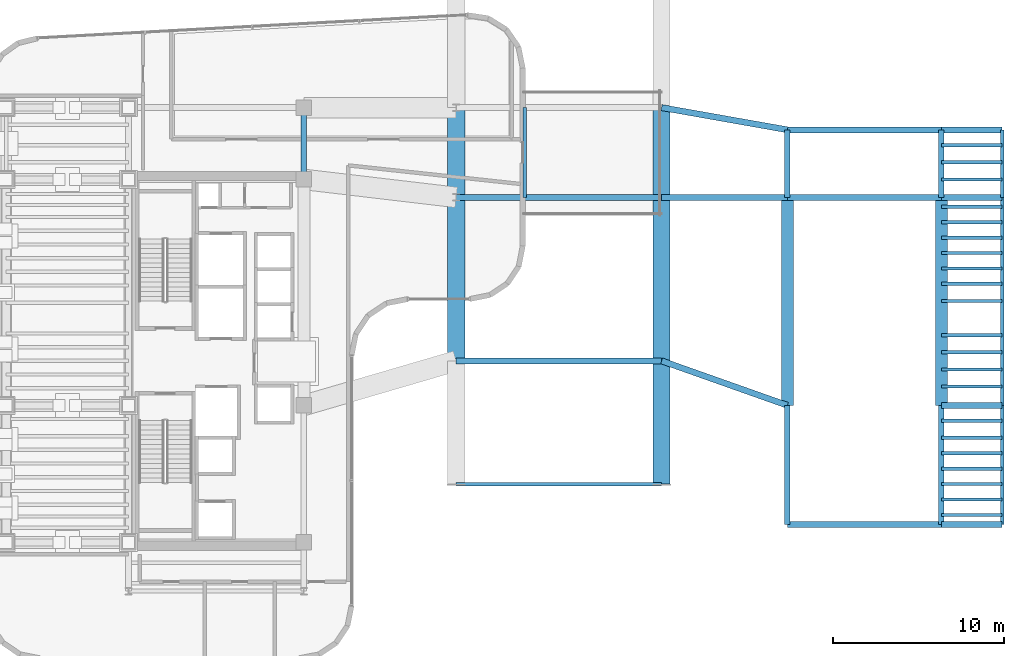
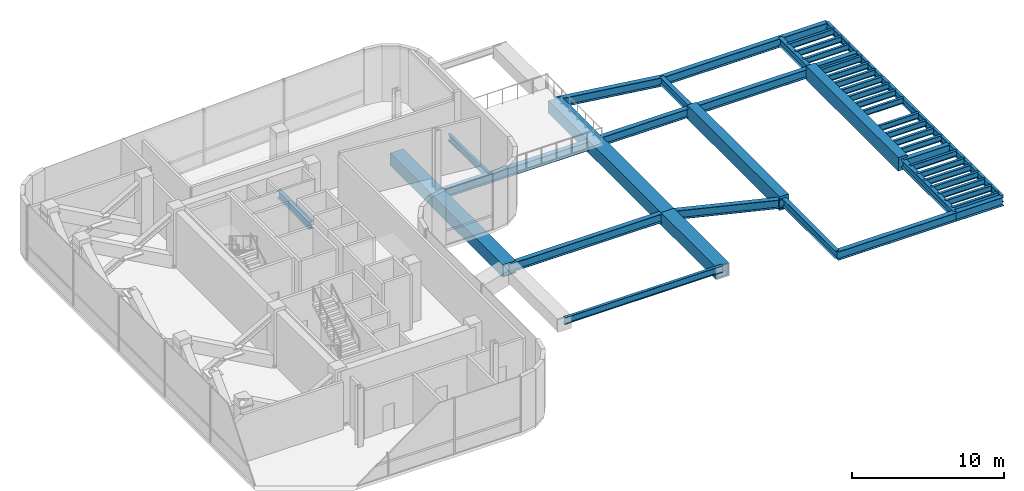
# One storey, part 10 of 20: 48 beams.
"""IFC4 building model written with IfcOpenShell, lengths in metres."""

import ifcopenshell
import ifcopenshell.guid

model = None  # the IFC model being written
_history = None  # IfcOwnerHistory: only IFC2X3 demands one
_inside = {}  # id of a spatial element -> (the spatial element, [elements in it])
_under = {}  # id of a project, library or spatial element -> (it, [spatial elements below it])
_declared = {}  # id of a project -> (the project, [libraries it declares])
_typed = {}  # id of a type object -> (the type object, [elements of that type])
_made_of = {}  # id of a material, layer set ... -> (it, [elements and type objects made of it])


def new_model(schema):
    """Start an empty IFC model of exactly this schema.

    Asked for "IFC4X3", IfcOpenShell would pick the latest addendum, in which some entities
    have other attributes; the version numbers below select the first issue.
    IFC2X3 requires an IfcOwnerHistory on every rooted entity: one is made here for all.
    """
    global model, _history
    if schema == "IFC4X3":
        model = ifcopenshell.file(schema_version=(4, 3, 0, 0))
    else:
        model = ifcopenshell.file(schema=schema)
    _inside.clear()
    _under.clear()
    _declared.clear()
    _typed.clear()
    _made_of.clear()
    _history = None
    if model.schema == "IFC2X3":
        org = make("IfcOrganization", Name="unknown")
        user = make(
            "IfcPersonAndOrganization",
            ThePerson=make("IfcPerson", FamilyName="unknown"),
            TheOrganization=org,
        )
        app = make(
            "IfcApplication",
            ApplicationDeveloper=org,
            Version="unknown",
            ApplicationFullName="unknown",
            ApplicationIdentifier="unknown",
        )
        _history = make(
            "IfcOwnerHistory",
            OwningUser=user,
            OwningApplication=app,
            ChangeAction="ADDED",
            CreationDate=0,
        )
    return model


def make(cls, **values):
    """One entity of the class cls with the attributes given. An attribute that is None is left unset."""
    return model.create_entity(
        cls, **{name: value for name, value in values.items() if value is not None}
    )


def rooted(cls, **values):
    """An entity with a GlobalId (a new one), such as an element, a storey or a relation."""
    return make(cls, GlobalId=ifcopenshell.guid.new(), OwnerHistory=_history, **values)


def si_unit(unit_type, name, prefix=None):
    """IfcSIUnit, for example si_unit("LENGTHUNIT", "METRE", prefix="MILLI")."""
    return make("IfcSIUnit", UnitType=unit_type, Prefix=prefix, Name=name)


def assignment(units):
    """IfcUnitAssignment: the units of a project."""
    return None if units is None else make("IfcUnitAssignment", Units=units)


def point(xyz):
    """IfcCartesianPoint."""
    return None if xyz is None else make("IfcCartesianPoint", Coordinates=xyz)


def direction(xyz):
    """IfcDirection."""
    return None if xyz is None else make("IfcDirection", DirectionRatios=xyz)


def frame(location, z_axis=None, x_axis=None):
    """IfcAxis2Placement3D, a coordinate frame: its origin and axes. An axis left out is left unset."""
    return make(
        "IfcAxis2Placement3D",
        Location=point(location),
        Axis=direction(z_axis),
        RefDirection=direction(x_axis),
    )


def frame_2d(location, x_axis=None):
    """IfcAxis2Placement2D, a coordinate frame in the plane: its origin and x axis."""
    return make(
        "IfcAxis2Placement2D", Location=point(location), RefDirection=direction(x_axis)
    )


def origin():
    """The frame at (0, 0, 0) with its axes left unset."""
    return frame((0.0, 0.0, 0.0))


def origin_2d():
    """The frame at (0, 0) in the plane with its x axis left unset."""
    return frame_2d((0.0, 0.0))


def place(relative_to, where):
    """IfcLocalPlacement: puts the frame where relative to a parent placement (None: the world)."""
    return make(
        "IfcLocalPlacement", PlacementRelTo=relative_to, RelativePlacement=where
    )


def context(
    kind, dimensions, precision=None, world=None, true_north=None, identifier=None
):
    """IfcGeometricRepresentationContext, for example the 3D "Model" context."""
    return make(
        "IfcGeometricRepresentationContext",
        ContextIdentifier=identifier,
        ContextType=kind,
        CoordinateSpaceDimension=dimensions,
        Precision=precision,
        WorldCoordinateSystem=world,
        TrueNorth=true_north,
    )


def subcontext(parent, identifier, kind, view, scale=None):
    """IfcGeometricRepresentationSubContext, for example "Body" below "Model"."""
    return make(
        "IfcGeometricRepresentationSubContext",
        ContextIdentifier=identifier,
        ContextType=kind,
        ParentContext=parent,
        TargetScale=scale,
        TargetView=view,
    )


def project(units=None, contexts=None):
    """IfcProject with its units and contexts."""
    return rooted(
        "IfcProject",
        Name="project",
        RepresentationContexts=contexts,
        UnitsInContext=assignment(units),
    )


def spatial(cls, under=None, at=None, **own):
    """A site, building, storey or space (cls), placed at a placement, below another one or the project."""
    s = rooted(cls, ObjectPlacement=at, **own)
    if under is not None:
        _under.setdefault(under.id(), (under, []))[1].append(s)
    return s


def profile(cls, at=None, kind="AREA", **sizes):
    """A parametric profile (cls). Its sizes go by their IFC names, for example OverallWidth=200.0."""
    return make(cls, ProfileType=kind, Position=at, **sizes)


def rectangle(**sizes):
    """IfcRectangleProfileDef."""
    return profile("IfcRectangleProfileDef", **sizes)


def hollow_rectangle(**sizes):
    """IfcRectangleHollowProfileDef."""
    return profile("IfcRectangleHollowProfileDef", **sizes)


def i_section(**sizes):
    """IfcIShapeProfileDef."""
    return profile("IfcIShapeProfileDef", **sizes)


def extrude(swept, where, along, depth):
    """IfcExtrudedAreaSolid: the profile swept, set in the frame where, extruded along a direction by depth."""
    return make(
        "IfcExtrudedAreaSolid",
        SweptArea=swept,
        Position=where,
        ExtrudedDirection=direction(along),
        Depth=depth,
    )


def shape(context_of_items, identifier, shape_type, items):
    """IfcShapeRepresentation: the items that make up one representation, for example the "Body"."""
    return make(
        "IfcShapeRepresentation",
        ContextOfItems=context_of_items,
        RepresentationIdentifier=identifier,
        RepresentationType=shape_type,
        Items=items,
    )


def source(mapping_origin, context_of_items, identifier, shape_type, items):
    """IfcRepresentationMap: a shape defined once, which mapped items show again and again."""
    return make(
        "IfcRepresentationMap",
        MappingOrigin=mapping_origin,
        MappedRepresentation=shape(context_of_items, identifier, shape_type, items),
    )


def transform(
    local_origin,
    x_axis=None,
    y_axis=None,
    z_axis=None,
    scale=None,
    scale2=None,
    scale3=None,
    uniform=True,
):
    """IfcCartesianTransformationOperator3D, or its non-uniform kind. x_axis, y_axis, z_axis: its Axis1, 2, 3."""
    if uniform:
        return make(
            "IfcCartesianTransformationOperator3D",
            Axis1=direction(x_axis),
            Axis2=direction(y_axis),
            LocalOrigin=point(local_origin),
            Scale=scale,
            Axis3=direction(z_axis),
        )
    return make(
        "IfcCartesianTransformationOperator3DnonUniform",
        Axis1=direction(x_axis),
        Axis2=direction(y_axis),
        LocalOrigin=point(local_origin),
        Scale=scale,
        Axis3=direction(z_axis),
        Scale2=scale2,
        Scale3=scale3,
    )


def mapped(mapping_source, mapping_target):
    """IfcMappedItem: shows the shape of a source again, moved by a transform."""
    return make(
        "IfcMappedItem", MappingSource=mapping_source, MappingTarget=mapping_target
    )


def material(Name=None, Category=None):
    """IfcMaterial."""
    return make("IfcMaterial", Name=Name, Category=Category)


def material_profile(
    of_material, cross_section, Name=None, Category=None, Priority=None
):
    """IfcMaterialProfile: a cross section and its material."""
    return make(
        "IfcMaterialProfile",
        Name=Name,
        Material=of_material,
        Profile=cross_section,
        Priority=Priority,
        Category=Category,
    )


def profile_set(profiles, Name=None, composite=None):
    """IfcMaterialProfileSet."""
    return make(
        "IfcMaterialProfileSet",
        Name=Name,
        MaterialProfiles=profiles,
        CompositeProfile=composite,
    )


def made_of(thing, what):
    """Note that an element or type object is made of a material, layer set ...; save() writes the relation."""
    if what is not None:
        _made_of.setdefault(what.id(), (what, []))[1].append(thing)
    return thing


def type_object(cls, material=None, **own):
    """A type object (cls), such as IfcWallType, which elements share."""
    return made_of(rooted(cls, **own), material)


def element(
    cls,
    number,
    at=None,
    inside=None,
    cuts=None,
    type_object=None,
    material=None,
    context=None,
    identifier="Body",
    shape_type=None,
    held_by="IfcProductDefinitionShape",
    body=None,
    shapes=None,
    **own,
):
    """One element of the class cls, such as IfcWall. Its Tag is "e" and its number.

    at: its placement. inside: the storey or other place that contains it. cuts: it is an
    opening in that element (IfcRelVoidsElement). A single representation is given by context,
    identifier, shape_type and body (its items); several are given by shapes. held_by: the class
    of the entity that holds the representations. save() writes the other relations.
    """
    e = rooted(cls, Tag="e%d" % number, ObjectPlacement=at, **own)
    if body is not None:
        shapes = [shape(context, identifier, shape_type, body)]
    if shapes is not None:
        e.Representation = make(held_by, Representations=shapes)
    if inside is not None:
        _inside.setdefault(inside.id(), (inside, []))[1].append(e)
    if cuts is not None:
        rooted(
            "IfcRelVoidsElement", RelatingBuildingElement=cuts, RelatedOpeningElement=e
        )
    if type_object is not None:
        _typed.setdefault(type_object.id(), (type_object, []))[1].append(e)
    return made_of(e, material)


def aggregate(whole, parts):
    """IfcRelAggregates: a whole, such as a stair, and the parts it consists of."""
    return rooted("IfcRelAggregates", RelatingObject=whole, RelatedObjects=parts)


def save(model, path):
    """Write the relations noted so far, then the file.

    IfcRelAggregates (storeys below a building ...), IfcRelContainedInSpatialStructure (elements
    in a storey), IfcRelDefinesByType, IfcRelAssociatesMaterial and IfcRelDeclares: one each for
    every whole, place, type object, material and project.
    """
    for whole, parts in _under.values():
        aggregate(whole, parts)
    for where, things in _inside.values():
        rooted(
            "IfcRelContainedInSpatialStructure",
            RelatedElements=things,
            RelatingStructure=where,
        )
    for kind, things in _typed.values():
        rooted("IfcRelDefinesByType", RelatedObjects=things, RelatingType=kind)
    for what, things in _made_of.values():
        rooted("IfcRelAssociatesMaterial", RelatedObjects=things, RelatingMaterial=what)
    for by, libraries in _declared.values():
        rooted("IfcRelDeclares", RelatingContext=by, RelatedDefinitions=libraries)
    model.write(path)


model = new_model("IFC4")

# Units and contexts
model_context = context("Model", 3, precision=1e-05, world=origin(), true_north=direction((0.0, 1.0)))
body_context = subcontext(model_context, "Body", "Model", "MODEL_VIEW")
ifc_project = project(units=[si_unit("LENGTHUNIT", "METRE"), si_unit("AREAUNIT", "SQUARE_METRE"), si_unit("VOLUMEUNIT", "CUBIC_METRE"), si_unit("PLANEANGLEUNIT", "RADIAN"), si_unit("MASSUNIT", "GRAM", prefix="KILO")], contexts=[model_context])

# Site, building, storey
site_placement = place(None, origin())
site = spatial("IfcSite", under=ifc_project, at=site_placement, CompositionType="ELEMENT")
building_placement = place(site_placement, origin())
building = spatial("IfcBuilding", under=site, at=building_placement, Name="Valdorenza Pilgrim Sanctuary Tower", CompositionType="ELEMENT")
storey_placement = place(building_placement, frame((0.0, 0.0, 196.300048828125)))
storey = spatial("IfcBuildingStorey", under=building, at=storey_placement, Name="L50", CompositionType="ELEMENT", Elevation=196.300048828125)

# Beams
ifc_material_1 = material(Name="Concrete C50/60", Category="concrete")
ifc_material_profile_1 = material_profile(ifc_material_1, rectangle(XDim=0.699951171875, YDim=1.10009765625, at=origin_2d()), Name="RC 1100x700")
ifc_profile_set_1 = profile_set([ifc_material_profile_1], Name="Concrete C50/60")
beam_type_1 = type_object("IfcBeamType", Name="STR-BM-LNT-1100", PredefinedType="LINTEL", material=ifc_profile_set_1)
shared_shape_1 = source(origin(), body_context, "Body", "SweptSolid", [
    extrude(rectangle(XDim=0.699951171875, YDim=1.10009765625, at=origin_2d()), origin(), (0.0, 0.0, 1.0), 12.150146484375),
])
for number, where, z_axis, x_axis, name in (
    (1, (15.85009765625, -2.60009765625, -0.590087890625), (0.0, 1.0, 0.0), (-1.0, 0.0, 0.0), "L50 Core B West Coupling Lintel Girder"),
    (2, (24.85009765625, -2.60009765625, -0.590087890625), (0.0, 1.0, 0.0), (-1.0, 0.0, 0.0), "L50 Core B East Coupling Lintel Girder"),
):
    element("IfcBeam", number, at=place(storey_placement, frame(where, z_axis=z_axis, x_axis=x_axis)), inside=storey, type_object=beam_type_1, Name=name, PredefinedType="LINTEL", context=body_context, shape_type="MappedRepresentation", body=[
        mapped(shared_shape_1, transform((0.0, 0.0, 0.0), x_axis=(1.0, 0.0, 0.0), y_axis=(0.0, 1.0, 0.0), z_axis=(0.0, 0.0, 1.0), scale=1.0)),
    ])
ifc_material_2 = material(Name="Steel ASTM A992 Grade 50", Category="steel")
ifc_material_profile_2 = material_profile(ifc_material_2, i_section(OverallWidth=0.323974609375, OverallDepth=0.611083984375, WebThickness=0.0126953125, FlangeThickness=0.01904296875, at=origin_2d()), Name="W24X104")
ifc_profile_set_2 = profile_set([ifc_material_profile_2], Name="Steel ASTM A992 Grade 50")
beam_type_2 = type_object("IfcBeamType", Name="STR-BM-GRD-W24B", PredefinedType="BEAM", material=ifc_profile_set_2)
shared_shape_2 = source(origin(), body_context, "Body", "SweptSolid", [
    extrude(i_section(OverallWidth=0.323974609375, OverallDepth=0.611083984375, WebThickness=0.0126953125, FlangeThickness=0.01904296875, at=origin_2d()), origin(), (0.0, 0.0, 1.0), 4.199951171875),
])
beam_1_placement = place(storey_placement, frame((-12.39990234375, 10.60009765625, -0.545654296875), z_axis=(0.0, 1.0, 0.0), x_axis=(-1.0, 0.0, 0.0)))
element("IfcBeam", 3, at=beam_1_placement, inside=storey, type_object=beam_type_2, Name="L50 Core Tie Girder CA-E-N1N2", PredefinedType="BEAM", context=body_context, shape_type="MappedRepresentation", body=[
    mapped(shared_shape_2, transform((0.0, 0.0, 0.0), x_axis=(1.0, 0.0, 0.0), y_axis=(0.0, 1.0, 0.0), z_axis=(0.0, 0.0, 1.0), scale=1.0)),
])
shared_shape_3 = source(origin(), body_context, "Body", "SweptSolid", [
    extrude(i_section(OverallWidth=0.323974609375, OverallDepth=0.611083984375, WebThickness=0.0126953125, FlangeThickness=0.01904296875, at=origin_2d()), origin(), (0.0, 0.0, 1.0), 6.949951171875),
])
for number, where, z_axis, x_axis, name in (
    (4, (15.85009765625, -9.550048828125, -0.545654296875), (0.0, 1.0, 0.0), (-1.0, 0.0, 0.0), "L50 Core Tie Girder CB-W-S1M0"),
    (5, (24.85009765625, -9.550048828125, -0.545654296875), (0.0, 1.0, 0.0), (-1.0, 0.0, 0.0), "L50 Core Tie Girder CB-E-S1M0"),
):
    element("IfcBeam", number, at=place(storey_placement, frame(where, z_axis=z_axis, x_axis=x_axis)), inside=storey, type_object=beam_type_2, Name=name, PredefinedType="BEAM", context=body_context, shape_type="MappedRepresentation", body=[
        mapped(shared_shape_3, transform((0.0, 0.0, 0.0), x_axis=(1.0, 0.0, 0.0), y_axis=(0.0, 1.0, 0.0), z_axis=(0.0, 0.0, 1.0), scale=1.0)),
    ])
shared_shape_4 = source(origin(), body_context, "Body", "SweptSolid", [
    extrude(i_section(OverallWidth=0.323974609375, OverallDepth=0.611083984375, WebThickness=0.0126953125, FlangeThickness=0.01904296875, at=origin_2d()), origin(), (0.0, 0.0, 1.0), 3.949951171875),
])
for number, where, z_axis, x_axis, name in (
    (6, (15.85009765625, 9.550048828125, -0.545654296875), (0.0, 1.0, 0.0), (-1.0, 0.0, 0.0), "L50 Core Tie Girder CB-W-N1N2"),
    (7, (24.85009765625, 9.550048828125, -0.545654296875), (0.0, 1.0, 0.0), (-1.0, 0.0, 0.0), "L50 Core Tie Girder CB-E-N1N2"),
):
    element("IfcBeam", number, at=place(storey_placement, frame(where, z_axis=z_axis, x_axis=x_axis)), inside=storey, type_object=beam_type_2, Name=name, PredefinedType="BEAM", context=body_context, shape_type="MappedRepresentation", body=[
        mapped(shared_shape_4, transform((0.0, 0.0, 0.0), x_axis=(1.0, 0.0, 0.0), y_axis=(0.0, 1.0, 0.0), z_axis=(0.0, 0.0, 1.0), scale=1.0)),
    ])
ifc_material_profile_3 = material_profile(ifc_material_2, i_section(OverallWidth=0.19091796875, OverallDepth=0.45703125, WebThickness=0.009033203125, FlangeThickness=0.014404296875, at=origin_2d()), Name="W18X50")
ifc_profile_set_3 = profile_set([ifc_material_profile_3], Name="Steel ASTM A992 Grade 50")
beam_type_3 = type_object("IfcBeamType", Name="STR-BM-JST-W18B", PredefinedType="JOIST", material=ifc_profile_set_3)
shared_shape_5 = source(origin(), body_context, "Body", "SweptSolid", [
    extrude(i_section(OverallWidth=0.19091796875, OverallDepth=0.45703125, WebThickness=0.009033203125, FlangeThickness=0.014404296875, at=origin_2d()), origin(), (0.0, 0.0, 1.0), 3.5498046875),
])
for number, where, z_axis, x_axis, name in (
    (8, (24.85009765625, -9.0, -0.468505859375), (1.0, 0.0, 0.0), (0.0, 1.0, 0.0), "L50 Composite Floor Joist JST-WB-1"),
    (9, (24.85009765625, -8.10009765625, -0.468505859375), (1.0, 0.0, 0.0), (0.0, 1.0, 0.0), "L50 Composite Floor Joist JST-WB-2"),
    (10, (24.85009765625, -7.199951171875, -0.468505859375), (1.0, 0.0, 0.0), (0.0, 1.0, 0.0), "L50 Composite Floor Joist JST-WB-3"),
    (11, (24.85009765625, -6.300048828125, -0.468505859375), (1.0, 0.0, 0.0), (0.0, 1.0, 0.0), "L50 Composite Floor Joist JST-WB-4"),
    (12, (24.85009765625, -5.39990234375, -0.468505859375), (1.0, 0.0, 0.0), (0.0, 1.0, 0.0), "L50 Composite Floor Joist JST-WB-5"),
    (13, (24.85009765625, -4.5, -0.468505859375), (1.0, 0.0, 0.0), (0.0, 1.0, 0.0), "L50 Composite Floor Joist JST-WB-6"),
    (14, (24.85009765625, -3.5, -0.468505859375), (1.0, 0.0, 0.0), (0.0, 1.0, 0.0), "L50 Composite Floor Joist JST-WB-7"),
    (15, (24.85009765625, -1.5, -0.468505859375), (1.0, 0.0, 0.0), (0.0, 1.0, 0.0), "L50 Composite Floor Joist JST-WB-8"),
    (16, (24.85009765625, -0.5, -0.468505859375), (1.0, 0.0, 0.0), (0.0, 1.0, 0.0), "L50 Composite Floor Joist JST-WB-9"),
    (17, (24.85009765625, 0.5, -0.468505859375), (1.0, 0.0, 0.0), (0.0, 1.0, 0.0), "L50 Composite Floor Joist JST-WB-10"),
    (18, (24.85009765625, 1.5, -0.468505859375), (1.0, 0.0, 0.0), (0.0, 1.0, 0.0), "L50 Composite Floor Joist JST-WB-11"),
    (19, (24.85009765625, 3.5, -0.468505859375), (1.0, 0.0, 0.0), (0.0, 1.0, 0.0), "L50 Composite Floor Joist JST-WB-12"),
    (20, (24.85009765625, 4.5, -0.468505859375), (1.0, 0.0, 0.0), (0.0, 1.0, 0.0), "L50 Composite Floor Joist JST-WB-13"),
    (21, (24.85009765625, 5.39990234375, -0.468505859375), (1.0, 0.0, 0.0), (0.0, 1.0, 0.0), "L50 Composite Floor Joist JST-WB-14"),
    (22, (24.85009765625, 6.300048828125, -0.468505859375), (1.0, 0.0, 0.0), (0.0, 1.0, 0.0), "L50 Composite Floor Joist JST-WB-15"),
    (23, (24.85009765625, 7.199951171875, -0.468505859375), (1.0, 0.0, 0.0), (0.0, 1.0, 0.0), "L50 Composite Floor Joist JST-WB-16"),
    (24, (24.85009765625, 8.10009765625, -0.468505859375), (1.0, 0.0, 0.0), (0.0, 1.0, 0.0), "L50 Composite Floor Joist JST-WB-17"),
    (25, (24.85009765625, 9.0, -0.468505859375), (1.0, 0.0, 0.0), (0.0, 1.0, 0.0), "L50 Composite Floor Joist JST-WB-18"),
    (26, (24.85009765625, 10.60009765625, -0.468505859375), (1.0, 0.0, 0.0), (0.0, 1.0, 0.0), "L50 Composite Floor Joist JST-WB-19"),
    (27, (24.85009765625, 11.60009765625, -0.468505859375), (1.0, 0.0, 0.0), (0.0, 1.0, 0.0), "L50 Composite Floor Joist JST-WB-20"),
    (28, (24.85009765625, 12.60009765625, -0.468505859375), (1.0, 0.0, 0.0), (0.0, 1.0, 0.0), "L50 Composite Floor Joist JST-WB-21"),
):
    element("IfcBeam", number, at=place(storey_placement, frame(where, z_axis=z_axis, x_axis=x_axis)), inside=storey, type_object=beam_type_3, Name=name, PredefinedType="JOIST", context=body_context, shape_type="MappedRepresentation", body=[
        mapped(shared_shape_5, transform((0.0, 0.0, 0.0), x_axis=(1.0, 0.0, 0.0), y_axis=(0.0, 1.0, 0.0), z_axis=(0.0, 0.0, 1.0), scale=1.0)),
    ])
ifc_material_profile_4 = material_profile(ifc_material_2, i_section(OverallWidth=0.2109375, OverallDepth=0.5390625, WebThickness=0.01171875, FlangeThickness=0.018798828125, at=origin_2d()), Name="W21X73")
ifc_profile_set_4 = profile_set([ifc_material_profile_4], Name="Steel ASTM A992 Grade 50")
beam_type_4 = type_object("IfcBeamType", Name="STR-BM-SPN-W21B", PredefinedType="SPANDREL", material=ifc_profile_set_4)
shared_shape_6 = source(origin(), body_context, "Body", "SweptSolid", [
    extrude(i_section(OverallWidth=0.2109375, OverallDepth=0.5390625, WebThickness=0.01171875, FlangeThickness=0.018798828125, at=origin_2d()), origin(), (0.0, 0.0, 1.0), 6.949951171875),
])
beam_2_placement = place(storey_placement, frame((28.39990234375, -9.550048828125, -0.509521484375), z_axis=(0.0, 1.0, 0.0), x_axis=(-1.0, 0.0, 0.0)))
element("IfcBeam", 29, at=beam_2_placement, inside=storey, type_object=beam_type_4, Name="L50 Spandrel Beam WB-E-S1M0", PredefinedType="SPANDREL", context=body_context, shape_type="MappedRepresentation", body=[
    mapped(shared_shape_6, transform((0.0, 0.0, 0.0), x_axis=(1.0, 0.0, 0.0), y_axis=(0.0, 1.0, 0.0), z_axis=(0.0, 0.0, 1.0), scale=1.0)),
])
shared_shape_7 = source(origin(), body_context, "Body", "SweptSolid", [
    extrude(i_section(OverallWidth=0.2109375, OverallDepth=0.5390625, WebThickness=0.01171875, FlangeThickness=0.018798828125, at=origin_2d()), origin(), (0.0, 0.0, 1.0), 12.150146484375),
])
beam_3_placement = place(storey_placement, frame((28.39990234375, -2.60009765625, -0.509521484375), z_axis=(0.0, 1.0, 0.0), x_axis=(-1.0, 0.0, 0.0)))
element("IfcBeam", 30, at=beam_3_placement, inside=storey, type_object=beam_type_4, Name="L50 Spandrel Beam WB-E-M0N1", PredefinedType="SPANDREL", context=body_context, shape_type="MappedRepresentation", body=[
    mapped(shared_shape_7, transform((0.0, 0.0, 0.0), x_axis=(1.0, 0.0, 0.0), y_axis=(0.0, 1.0, 0.0), z_axis=(0.0, 0.0, 1.0), scale=1.0)),
])
shared_shape_8 = source(origin(), body_context, "Body", "SweptSolid", [
    extrude(i_section(OverallWidth=0.2109375, OverallDepth=0.5390625, WebThickness=0.01171875, FlangeThickness=0.018798828125, at=origin_2d()), origin(), (0.0, 0.0, 1.0), 3.949951171875),
])
beam_4_placement = place(storey_placement, frame((28.39990234375, 9.550048828125, -0.509521484375), z_axis=(0.0, 1.0, 0.0), x_axis=(-1.0, 0.0, 0.0)))
element("IfcBeam", 31, at=beam_4_placement, inside=storey, type_object=beam_type_4, Name="L50 Spandrel Beam WB-E-N1N2", PredefinedType="SPANDREL", context=body_context, shape_type="MappedRepresentation", body=[
    mapped(shared_shape_8, transform((0.0, 0.0, 0.0), x_axis=(1.0, 0.0, 0.0), y_axis=(0.0, 1.0, 0.0), z_axis=(0.0, 0.0, 1.0), scale=1.0)),
])
ifc_material_3 = material(Name="Steel ASTM A572 Grade 42", Category="steel")
ifc_material_profile_5 = material_profile(ifc_material_3, hollow_rectangle(XDim=1.0, YDim=1.0, WallThickness=0.080078125, at=origin_2d()), Name="BOX 1000x1000x80")
ifc_profile_set_5 = profile_set([ifc_material_profile_5], Name="Steel ASTM A572 Grade 42")
beam_type_5 = type_object("IfcBeamType", Name="STR-BM-PROW-CANT", PredefinedType="BEAM", material=ifc_profile_set_5)
shared_shape_9 = source(origin(), body_context, "Body", "SweptSolid", [
    extrude(hollow_rectangle(XDim=1.0, YDim=1.0, WallThickness=0.080078125, at=origin_2d()), origin(), (0.0, 0.0, 1.0), 14.800048828125),
])
for number, where, z_axis, x_axis, name in (
    (32, (-3.5, 0.0, -0.739990234375), (0.0, 1.0, 0.0), (-1.0, 0.0, 0.0), "L50 Sanctuary Backspan Girder PROW-BACK-N-W"),
    (33, (8.5, 0.0, -0.739990234375), (0.0, 1.0, 0.0), (-1.0, 0.0, 0.0), "L50 Sanctuary Backspan Girder PROW-BACK-N-E"),
):
    element("IfcBeam", number, at=place(storey_placement, frame(where, z_axis=z_axis, x_axis=x_axis)), inside=storey, type_object=beam_type_5, Name=name, PredefinedType="BEAM", context=body_context, shape_type="MappedRepresentation", body=[
        mapped(shared_shape_9, transform((0.0, 0.0, 0.0), x_axis=(1.0, 0.0, 0.0), y_axis=(0.0, 1.0, 0.0), z_axis=(0.0, 0.0, 1.0), scale=1.0)),
    ])
shared_shape_10 = source(origin(), body_context, "Body", "SweptSolid", [
    extrude(hollow_rectangle(XDim=1.0, YDim=1.0, WallThickness=0.080078125, at=origin_2d()), origin(), (0.0, 0.0, 1.0), 7.199951171875),
])
beam_5_placement = place(storey_placement, frame((8.5, 0.0, -0.739990234375), z_axis=(0.0, -1.0, 0.0), x_axis=(1.0, 0.0, 0.0)))
element("IfcBeam", 34, at=beam_5_placement, inside=storey, type_object=beam_type_5, Name="L50 South Sanctuary Prow Cantilever PROW-CANT-S-E", PredefinedType="BEAM", context=body_context, shape_type="MappedRepresentation", body=[
    mapped(shared_shape_10, transform((0.0, 0.0, 0.0), x_axis=(1.0, 0.0, 0.0), y_axis=(0.0, 1.0, 0.0), z_axis=(0.0, 0.0, 1.0), scale=1.0)),
])
shared_shape_11 = source(origin(), body_context, "Body", "SweptSolid", [
    extrude(i_section(OverallWidth=0.2109375, OverallDepth=0.5390625, WebThickness=0.01171875, FlangeThickness=0.018798828125, at=origin_2d()), origin(), (0.0, 0.0, 1.0), 12.0),
])
beam_6_placement = place(storey_placement, frame((-3.5, -7.199951171875, -0.509521484375), z_axis=(1.0, 0.0, 0.0), x_axis=(0.0, 1.0, 0.0)))
element("IfcBeam", 35, at=beam_6_placement, inside=storey, type_object=beam_type_4, Name="L50 South Prow Tip Spandrel PROW-TIP-S", PredefinedType="SPANDREL", context=body_context, shape_type="MappedRepresentation", body=[
    mapped(shared_shape_11, transform((0.0, 0.0, 0.0), x_axis=(1.0, 0.0, 0.0), y_axis=(0.0, 1.0, 0.0), z_axis=(0.0, 0.0, 1.0), scale=1.0)),
])
ifc_material_profile_6 = material_profile(ifc_material_2, i_section(OverallWidth=0.35595703125, OverallDepth=0.700927734375, WebThickness=0.016845703125, FlangeThickness=0.02734375, at=origin_2d()), Name="W27X161")
ifc_profile_set_6 = profile_set([ifc_material_profile_6], Name="Steel ASTM A992 Grade 50")
beam_type_6 = type_object("IfcBeamType", Name="STR-BM-GRD-W27", PredefinedType="BEAM", material=ifc_profile_set_6)
shared_shape_12 = source(origin(), body_context, "Body", "SweptSolid", [
    extrude(i_section(OverallWidth=0.35595703125, OverallDepth=0.700927734375, WebThickness=0.016845703125, FlangeThickness=0.02734375, at=origin_2d()), origin(), (0.0, 0.0, 1.0), 9.0),
])
for number, where, z_axis, x_axis, name in (
    (36, (15.85009765625, -9.550048828125, -0.590576171875), (1.0, 0.0, 0.0), (0.0, 1.0, 0.0), "L50 Floor Girder CB-XC-S1"),
    (37, (15.85009765625, 9.550048828125, -0.590576171875), (1.0, 0.0, 0.0), (0.0, 1.0, 0.0), "L50 Floor Girder CB-XC-N1"),
    (38, (15.85009765625, 13.5, -0.590576171875), (1.0, 0.0, 0.0), (0.0, 1.0, 0.0), "L50 Floor Girder CB-XC-N2"),
):
    element("IfcBeam", number, at=place(storey_placement, frame(where, z_axis=z_axis, x_axis=x_axis)), inside=storey, type_object=beam_type_6, Name=name, PredefinedType="BEAM", context=body_context, shape_type="MappedRepresentation", body=[
        mapped(shared_shape_12, transform((0.0, 0.0, 0.0), x_axis=(1.0, 0.0, 0.0), y_axis=(0.0, 1.0, 0.0), z_axis=(0.0, 0.0, 1.0), scale=1.0)),
    ])
shared_shape_13 = source(origin(), body_context, "Body", "SweptSolid", [
    extrude(i_section(OverallWidth=0.35595703125, OverallDepth=0.700927734375, WebThickness=0.016845703125, FlangeThickness=0.02734375, at=origin_2d()), origin(), (0.0, 0.0, 1.0), 3.5498046875),
])
for number, where, z_axis, x_axis, name in (
    (39, (24.85009765625, -9.550048828125, -0.590576171875), (1.0, 0.0, 0.0), (0.0, 1.0, 0.0), "L50 Floor Girder WB-XE-S1"),
    (40, (24.85009765625, -2.60009765625, -0.590576171875), (1.0, 0.0, 0.0), (0.0, 1.0, 0.0), "L50 Floor Girder WB-XE-M0"),
    (41, (24.85009765625, 9.550048828125, -0.590576171875), (1.0, 0.0, 0.0), (0.0, 1.0, 0.0), "L50 Floor Girder WB-XE-N1"),
    (42, (24.85009765625, 13.5, -0.590576171875), (1.0, 0.0, 0.0), (0.0, 1.0, 0.0), "L50 Floor Girder WB-XE-N2"),
):
    element("IfcBeam", number, at=place(storey_placement, frame(where, z_axis=z_axis, x_axis=x_axis)), inside=storey, type_object=beam_type_6, Name=name, PredefinedType="BEAM", context=body_context, shape_type="MappedRepresentation", body=[
        mapped(shared_shape_13, transform((0.0, 0.0, 0.0), x_axis=(1.0, 0.0, 0.0), y_axis=(0.0, 1.0, 0.0), z_axis=(0.0, 0.0, 1.0), scale=1.0)),
    ])
shared_shape_14 = source(origin(), body_context, "Body", "SweptSolid", [
    extrude(i_section(OverallWidth=0.35595703125, OverallDepth=0.700927734375, WebThickness=0.016845703125, FlangeThickness=0.02734375, at=origin_2d()), origin(), (0.0, 0.0, 1.0), 12.0),
])
for number, where, z_axis, x_axis, name in (
    (43, (-3.5, 0.0, -0.590576171875), (1.0, 0.0, 0.0), (0.0, 1.0, 0.0), "L50 Portal Bridge Span Girder PRY-G2-P0"),
    (44, (-3.5, 9.550048828125, -0.590576171875), (1.0, 0.0, 0.0), (0.0, 1.0, 0.0), "L50 Portal Bridge Span Girder PRY-G2-P9"),
):
    element("IfcBeam", number, at=place(storey_placement, frame(where, z_axis=z_axis, x_axis=x_axis)), inside=storey, type_object=beam_type_6, Name=name, PredefinedType="BEAM", context=body_context, shape_type="MappedRepresentation", body=[
        mapped(shared_shape_14, transform((0.0, 0.0, 0.0), x_axis=(1.0, 0.0, 0.0), y_axis=(0.0, 1.0, 0.0), z_axis=(0.0, 0.0, 1.0), scale=1.0)),
    ])
shared_shape_15 = source(origin(), body_context, "Body", "SweptSolid", [
    extrude(i_section(OverallWidth=0.35595703125, OverallDepth=0.700927734375, WebThickness=0.016845703125, FlangeThickness=0.02734375, at=origin_2d()), origin(), (0.0, 0.0, 1.0), 7.79638671875),
])
beam_7_placement = place(storey_placement, frame((8.5, 0.0, -0.590576171875), z_axis=(0.942750751534, -0.333498156641, 0.0), x_axis=(0.333498156641, 0.942750751534, 0.0)))
element("IfcBeam", 45, at=beam_7_placement, inside=storey, type_object=beam_type_6, Name="L50 Portal Bridge East Seat Girder PRY-G3-P0", PredefinedType="BEAM", context=body_context, shape_type="MappedRepresentation", body=[
    mapped(shared_shape_15, transform((0.0, 0.0, 0.0), x_axis=(1.0, 0.0, 0.0), y_axis=(0.0, 1.0, 0.0), z_axis=(0.0, 0.0, 1.0), scale=1.0)),
])
shared_shape_16 = source(origin(), body_context, "Body", "SweptSolid", [
    extrude(i_section(OverallWidth=0.35595703125, OverallDepth=0.700927734375, WebThickness=0.016845703125, FlangeThickness=0.02734375, at=origin_2d()), origin(), (0.0, 0.0, 1.0), 7.35009765625),
])
beam_8_placement = place(storey_placement, frame((8.5, 9.550048828125, -0.590576171875), z_axis=(1.0, 0.0, 0.0), x_axis=(0.0, 1.0, 0.0)))
element("IfcBeam", 46, at=beam_8_placement, inside=storey, type_object=beam_type_6, Name="L50 Portal Bridge East Seat Girder PRY-G3-P9", PredefinedType="BEAM", context=body_context, shape_type="MappedRepresentation", body=[
    mapped(shared_shape_16, transform((0.0, 0.0, 0.0), x_axis=(1.0, 0.0, 0.0), y_axis=(0.0, 1.0, 0.0), z_axis=(0.0, 0.0, 1.0), scale=1.0)),
])
shared_shape_17 = source(origin(), body_context, "Body", "SweptSolid", [
    extrude(i_section(OverallWidth=0.35595703125, OverallDepth=0.700927734375, WebThickness=0.016845703125, FlangeThickness=0.02734375, at=origin_2d()), origin(), (0.0, 0.0, 1.0), 7.464111328125),
])
beam_9_placement = place(storey_placement, frame((8.5, 14.800048828125, -0.590576171875), z_axis=(0.984715322541, -0.17417156356, 0.0), x_axis=(0.17417156356, 0.984715322541, 0.0)))
element("IfcBeam", 47, at=beam_9_placement, inside=storey, type_object=beam_type_6, Name="L50 Portal Bridge East Seat Girder PRY-G3-P14", PredefinedType="BEAM", context=body_context, shape_type="MappedRepresentation", body=[
    mapped(shared_shape_17, transform((0.0, 0.0, 0.0), x_axis=(1.0, 0.0, 0.0), y_axis=(0.0, 1.0, 0.0), z_axis=(0.0, 0.0, 1.0), scale=1.0)),
])
shared_shape_18 = source(origin(), body_context, "Body", "SweptSolid", [
    extrude(i_section(OverallWidth=0.2109375, OverallDepth=0.5390625, WebThickness=0.01171875, FlangeThickness=0.018798828125, at=origin_2d()), origin(), (0.0, 0.0, 1.0), 5.25),
])
beam_10_placement = place(storey_placement, frame((0.5, 9.550048828125, -0.509521484375), z_axis=(0.0, 1.0, 0.0), x_axis=(-1.0, 0.0, 0.0)))
element("IfcBeam", 48, at=beam_10_placement, inside=storey, type_object=beam_type_4, Name="L50 Floor Girder TER50-B3", PredefinedType="SPANDREL", context=body_context, shape_type="MappedRepresentation", body=[
    mapped(shared_shape_18, transform((0.0, 0.0, 0.0), x_axis=(1.0, 0.0, 0.0), y_axis=(0.0, 1.0, 0.0), z_axis=(0.0, 0.0, 1.0), scale=1.0)),
])

save(model, "model.ifc")
